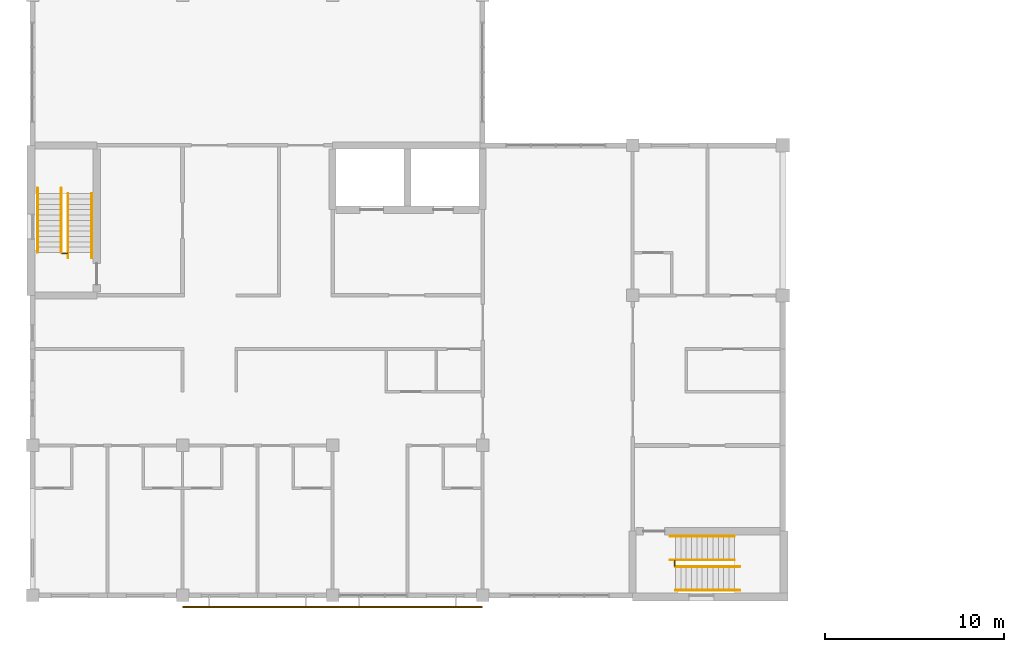
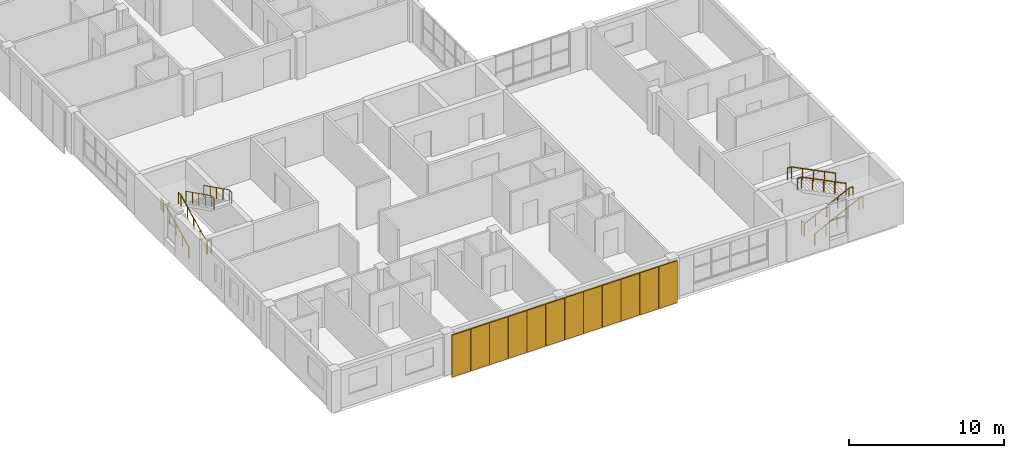
# One storey, part 42 of 46: 12 shading devices, 10 railings.
"""IFC4 building model written with IfcOpenShell, lengths in metres."""

from ifc_helpers import new_model, si_unit, direction, frame, origin, origin_2d, place, context, subcontext, project, spatial, rectangle, circle, extrude, material, layer, layer_set, type_object, element, save


model = new_model("IFC4")

# Units and contexts
model_context = context("Model", 3, precision=1e-05, world=origin(), true_north=direction((0.0, 1.0)))
body_context = subcontext(model_context, "Body", "Model", "MODEL_VIEW")
ifc_project = project(units=[si_unit("LENGTHUNIT", "METRE"), si_unit("AREAUNIT", "SQUARE_METRE"), si_unit("VOLUMEUNIT", "CUBIC_METRE"), si_unit("PLANEANGLEUNIT", "RADIAN"), si_unit("MASSUNIT", "GRAM", prefix="KILO")], contexts=[model_context])

# Site, building, storey
site_placement = place(None, origin())
site = spatial("IfcSite", under=ifc_project, at=site_placement, CompositionType="ELEMENT")
building_placement = place(site_placement, origin())
building = spatial("IfcBuilding", under=site, at=building_placement, Name="Yavir Park General Hospital", CompositionType="ELEMENT")
storey_placement = place(building_placement, frame((0.0, 0.0, 18.89990234375)))
storey = spatial("IfcBuildingStorey", under=building, at=storey_placement, Name="L04", CompositionType="ELEMENT", Elevation=18.89990234375)

# Shading devices
ifc_material_1 = material(Name="Precast concrete perforated block panel", Category="concrete")
ifc_layer = layer(ifc_material_1, 0.092041015625)
ifc_layer_set = layer_set([ifc_layer], Name="Precast concrete perforated block panel")
shading_device_type = type_object("IfcShadingDeviceType", Name="Precast breeze-block screen panel 1380 x 3300 x 92", PredefinedType="JALOUSIE", material=ifc_layer_set)
for number, where, z_axis, x_axis, name in (
    (1, (9.10009765625, -0.64990234375, 0.0), (0.0, 0.0, 1.0), (1.0, 0.0, 0.0), "Screen panel S2.2.1"),
    (2, (10.5, -0.64990234375, 0.0), (0.0, 0.0, 1.0), (1.0, 0.0, 0.0), "Screen panel S2.2.2"),
    (3, (11.89990234375, -0.64990234375, 0.0), (0.0, 0.0, 1.0), (1.0, 0.0, 0.0), "Screen panel S2.2.3"),
    (4, (13.300048828125, -0.64990234375, 0.0), (0.0, 0.0, 1.0), (1.0, 0.0, 0.0), "Screen panel S2.2.4"),
    (5, (14.699951171875, -0.64990234375, 0.0), (0.0, 0.0, 1.0), (1.0, 0.0, 0.0), "Screen panel S2.2.5"),
    (6, (16.10009765625, -0.64990234375, 0.0), (0.0, 0.0, 1.0), (1.0, 0.0, 0.0), "Screen panel S2.2.6"),
    (7, (17.5, -0.64990234375, 0.0), (0.0, 0.0, 1.0), (1.0, 0.0, 0.0), "Screen panel S3.2.1"),
    (8, (18.89990234375, -0.64990234375, 0.0), (0.0, 0.0, 1.0), (1.0, 0.0, 0.0), "Screen panel S3.2.2"),
    (9, (20.300048828125, -0.64990234375, 0.0), (0.0, 0.0, 1.0), (1.0, 0.0, 0.0), "Screen panel S3.2.3"),
    (10, (21.699951171875, -0.64990234375, 0.0), (0.0, 0.0, 1.0), (1.0, 0.0, 0.0), "Screen panel S3.2.4"),
    (11, (23.10009765625, -0.64990234375, 0.0), (0.0, 0.0, 1.0), (1.0, 0.0, 0.0), "Screen panel S3.2.5"),
    (12, (24.5, -0.64990234375, 0.0), (0.0, 0.0, 1.0), (1.0, 0.0, 0.0), "Screen panel S3.2.6"),
):
    element("IfcShadingDevice", number, at=place(storey_placement, frame(where, z_axis=z_axis, x_axis=x_axis)), inside=storey, type_object=shading_device_type, Name=name, PredefinedType="JALOUSIE", context=body_context, shape_type="SweptSolid", body=[
        extrude(rectangle(XDim=1.3798828125, YDim=0.092041015625, at=origin_2d()), origin(), (0.0, 0.0, 1.0), 3.300048828125),
    ])

# Railings
ifc_material_2 = material(Name="Steel balustrade with infill rods", Category="steel")
railing_type_1 = type_object("IfcRailingType", Name="Stair guard, steel balustrade 1100 mm", PredefinedType="GUARDRAIL", material=ifc_material_2)
railing_1_placement = place(storey_placement, frame((1.64990234375, 19.169921875, 0.0)))
element("IfcRailing", 13, at=railing_1_placement, inside=storey, type_object=railing_type_1, Name="Stair well guard SU1 L04", PredefinedType="GUARDRAIL", context=body_context, shape_type="SweptSolid", body=[
    extrude(circle(Radius=0.02392578125, at=origin_2d()), frame((0.0, 0.0, 1.076171875), z_axis=(1.0, 0.0, 0.0), x_axis=(0.0, 1.0, 0.0)), (0.0, 0.0, 1.0), 0.300048828125),
    extrude(circle(Radius=0.02099609375, at=origin_2d()), origin(), (0.0, 0.0, 1.0), 1.052001953125),
    extrude(circle(Radius=0.02099609375, at=origin_2d()), frame((0.300048828125, 0.0, 0.0)), (0.0, 0.0, 1.0), 1.052001953125),
])
railing_2_placement = place(storey_placement, frame((35.969970703125, 1.64990234375, 0.0)))
element("IfcRailing", 14, at=railing_2_placement, inside=storey, type_object=railing_type_1, Name="Stair well guard SU2 L04", PredefinedType="GUARDRAIL", context=body_context, shape_type="SweptSolid", body=[
    extrude(circle(Radius=0.02392578125, at=origin_2d()), frame((0.0, 0.0, 1.076171875), z_axis=(0.0, 1.0, 0.0), x_axis=(-1.0, 0.0, 0.0)), (0.0, 0.0, 1.0), 0.300048828125),
    extrude(circle(Radius=0.02099609375, at=origin_2d()), origin(), (0.0, 0.0, 1.0), 1.052001953125),
    extrude(circle(Radius=0.02099609375, at=origin_2d()), frame((0.0, 0.300048828125, 0.0)), (0.0, 0.0, 1.0), 1.052001953125),
])
ifc_material_3 = material(Name="Stainless steel tube 48 mm", Category="steel")
railing_type_2 = type_object("IfcRailingType", Name="Stair handrail, steel tube, 900 mm above the nosings", PredefinedType="HANDRAIL", material=ifc_material_3)
for number, where, name in (
    (15, (0.2900390625, 19.199951171875, 0.150146484375), "Handrail SU1 L04 1"),
    (16, (1.610107421875, 19.199951171875, 0.150146484375), "Handrail SU1 L04 2"),
):
    element("IfcRailing", number, at=place(storey_placement, frame(where)), inside=storey, type_object=railing_type_2, Name=name, PredefinedType="HANDRAIL", context=body_context, shape_type="SweptSolid", body=[
        extrude(circle(Radius=0.02392578125, at=origin_2d()), frame((0.0, 0.0, 0.8759765625), z_axis=(0.0, 0.894440424912, 0.447187126696), x_axis=(-1.0, 0.0, 0.0)), (0.0, 0.0, 1.0), 3.689453125),
        extrude(circle(Radius=0.02392578125, at=origin_2d()), frame((0.0, 3.300048828125, 2.52587890625), z_axis=(0.0, 1.0, 0.0), x_axis=(-1.0, 0.0, 0.0)), (0.0, 0.0, 1.0), 0.300048828125),
        extrude(circle(Radius=0.02099609375, at=origin_2d()), origin(), (0.0, 0.0, 1.0), 0.851806640625),
        extrude(circle(Radius=0.02099609375, at=origin_2d()), frame((0.0, 0.824951171875, 0.41259765625)), (0.0, 0.0, 1.0), 0.851806640625),
        extrude(circle(Radius=0.02099609375, at=origin_2d()), frame((0.0, 1.64990234375, 0.824951171875)), (0.0, 0.0, 1.0), 0.851806640625),
        extrude(circle(Radius=0.02099609375, at=origin_2d()), frame((0.0, 2.47509765625, 1.2373046875)), (0.0, 0.0, 1.0), 0.851806640625),
        extrude(circle(Radius=0.02099609375, at=origin_2d()), frame((0.0, 3.300048828125, 1.64990234375)), (0.0, 0.0, 1.0), 0.851806640625),
        extrude(circle(Radius=0.02099609375, at=origin_2d()), frame((0.0, 3.60009765625, 1.64990234375)), (0.0, 0.0, 1.0), 0.851806640625),
    ])
for number, where, name in (
    (17, (3.31005859375, 22.5, 1.9501953125), "Handrail SU1 L04 3"),
    (18, (1.989990234375, 22.5, 1.9501953125), "Handrail SU1 L04 4"),
):
    element("IfcRailing", number, at=place(storey_placement, frame(where)), inside=storey, type_object=railing_type_2, Name=name, PredefinedType="HANDRAIL", context=body_context, shape_type="SweptSolid", body=[
        extrude(circle(Radius=0.02392578125, at=origin_2d()), frame((0.0, 0.0, 0.8759765625), z_axis=(0.0, -0.894440424912, 0.447187126696), x_axis=(1.0, 0.0, 0.0)), (0.0, 0.0, 1.0), 3.689453125),
        extrude(circle(Radius=0.02392578125, at=origin_2d()), frame((0.0, -3.300048828125, 2.52587890625), z_axis=(0.0, -1.0, 0.0), x_axis=(1.0, 0.0, 0.0)), (0.0, 0.0, 1.0), 0.300048828125),
        extrude(circle(Radius=0.02099609375, at=origin_2d()), origin(), (0.0, 0.0, 1.0), 0.851806640625),
        extrude(circle(Radius=0.02099609375, at=origin_2d()), frame((0.0, -0.824951171875, 0.41259765625)), (0.0, 0.0, 1.0), 0.851806640625),
        extrude(circle(Radius=0.02099609375, at=origin_2d()), frame((0.0, -1.64990234375, 0.824951171875)), (0.0, 0.0, 1.0), 0.851806640625),
        extrude(circle(Radius=0.02099609375, at=origin_2d()), frame((0.0, -2.47509765625, 1.2373046875)), (0.0, 0.0, 1.0), 0.851806640625),
        extrude(circle(Radius=0.02099609375, at=origin_2d()), frame((0.0, -3.300048828125, 1.64990234375)), (0.0, 0.0, 1.0), 0.851806640625),
        extrude(circle(Radius=0.02099609375, at=origin_2d()), frame((0.0, -3.60009765625, 1.64990234375)), (0.0, 0.0, 1.0), 0.851806640625),
    ])
for number, where, name in (
    (19, (36.0, 0.2900390625, 0.150146484375), "Handrail SU2 L04 1"),
    (20, (36.0, 1.610107421875, 0.150146484375), "Handrail SU2 L04 2"),
):
    element("IfcRailing", number, at=place(storey_placement, frame(where)), inside=storey, type_object=railing_type_2, Name=name, PredefinedType="HANDRAIL", context=body_context, shape_type="SweptSolid", body=[
        extrude(circle(Radius=0.02392578125, at=origin_2d()), frame((0.0, 0.0, 0.8759765625), z_axis=(0.894440424912, 0.0, 0.447187126696), x_axis=(0.0, 1.0, 0.0)), (0.0, 0.0, 1.0), 3.689453125),
        extrude(circle(Radius=0.02392578125, at=origin_2d()), frame((3.300048828125, 0.0, 2.52587890625), z_axis=(1.0, 0.0, 0.0), x_axis=(0.0, 1.0, 0.0)), (0.0, 0.0, 1.0), 0.300048828125),
        extrude(circle(Radius=0.02099609375, at=origin_2d()), origin(), (0.0, 0.0, 1.0), 0.851806640625),
        extrude(circle(Radius=0.02099609375, at=origin_2d()), frame((0.824951171875, 0.0, 0.41259765625)), (0.0, 0.0, 1.0), 0.851806640625),
        extrude(circle(Radius=0.02099609375, at=origin_2d()), frame((1.64990234375, 0.0, 0.824951171875)), (0.0, 0.0, 1.0), 0.851806640625),
        extrude(circle(Radius=0.02099609375, at=origin_2d()), frame((2.47509765625, 0.0, 1.2373046875)), (0.0, 0.0, 1.0), 0.851806640625),
        extrude(circle(Radius=0.02099609375, at=origin_2d()), frame((3.300048828125, 0.0, 1.64990234375)), (0.0, 0.0, 1.0), 0.851806640625),
        extrude(circle(Radius=0.02099609375, at=origin_2d()), frame((3.60009765625, 0.0, 1.64990234375)), (0.0, 0.0, 1.0), 0.851806640625),
    ])
for number, where, name in (
    (21, (39.300048828125, 3.31005859375, 1.9501953125), "Handrail SU2 L04 3"),
    (22, (39.300048828125, 1.989990234375, 1.9501953125), "Handrail SU2 L04 4"),
):
    element("IfcRailing", number, at=place(storey_placement, frame(where)), inside=storey, type_object=railing_type_2, Name=name, PredefinedType="HANDRAIL", context=body_context, shape_type="SweptSolid", body=[
        extrude(circle(Radius=0.02392578125, at=origin_2d()), frame((0.0, 0.0, 0.8759765625), z_axis=(-0.894440424912, 0.0, 0.447187126696), x_axis=(0.0, -1.0, 0.0)), (0.0, 0.0, 1.0), 3.689453125),
        extrude(circle(Radius=0.02392578125, at=origin_2d()), frame((-3.300048828125, 0.0, 2.52587890625), z_axis=(-1.0, 0.0, 0.0), x_axis=(0.0, -1.0, 0.0)), (0.0, 0.0, 1.0), 0.300048828125),
        extrude(circle(Radius=0.02099609375, at=origin_2d()), origin(), (0.0, 0.0, 1.0), 0.851806640625),
        extrude(circle(Radius=0.02099609375, at=origin_2d()), frame((-0.824951171875, 0.0, 0.41259765625)), (0.0, 0.0, 1.0), 0.851806640625),
        extrude(circle(Radius=0.02099609375, at=origin_2d()), frame((-1.64990234375, 0.0, 0.824951171875)), (0.0, 0.0, 1.0), 0.851806640625),
        extrude(circle(Radius=0.02099609375, at=origin_2d()), frame((-2.47509765625, 0.0, 1.2373046875)), (0.0, 0.0, 1.0), 0.851806640625),
        extrude(circle(Radius=0.02099609375, at=origin_2d()), frame((-3.300048828125, 0.0, 1.64990234375)), (0.0, 0.0, 1.0), 0.851806640625),
        extrude(circle(Radius=0.02099609375, at=origin_2d()), frame((-3.60009765625, 0.0, 1.64990234375)), (0.0, 0.0, 1.0), 0.851806640625),
    ])

save(model, "model.ifc")
